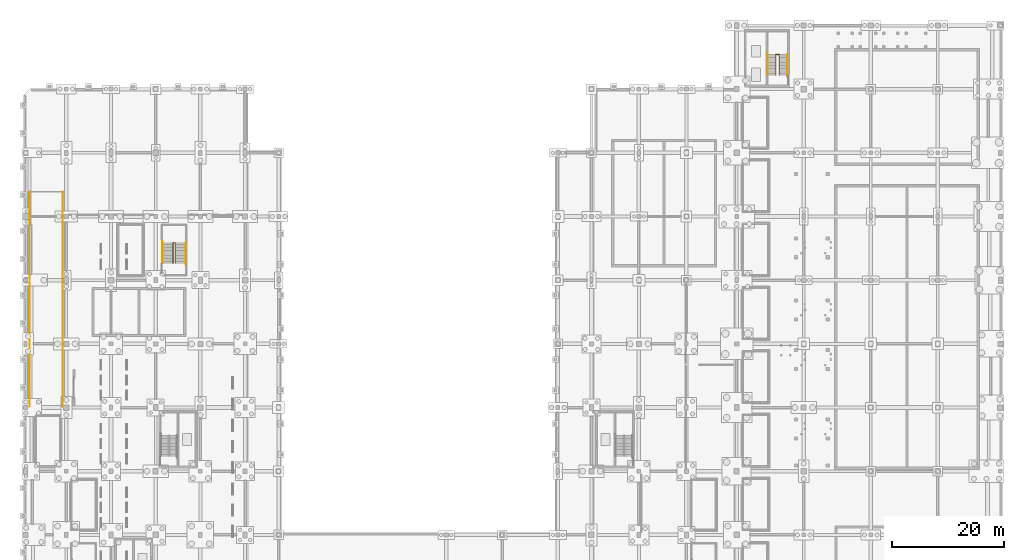
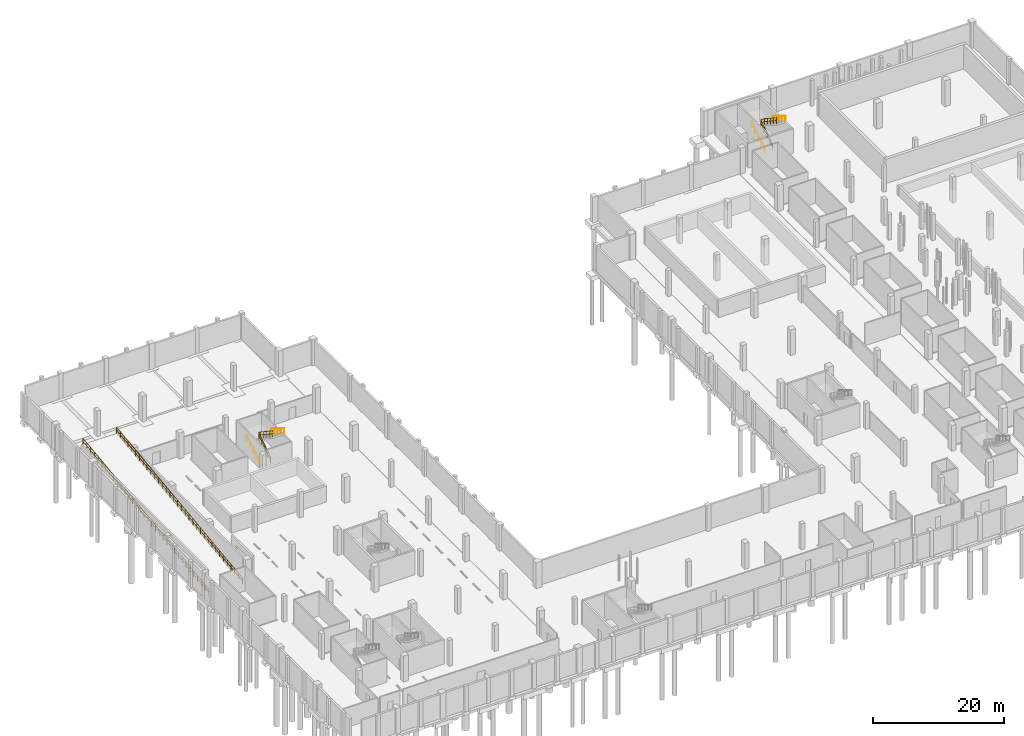
# One storey, part 33 of 34: 8 railings.
"""IFC4 building model written with IfcOpenShell, lengths in metres."""

from ifc_helpers import new_model, si_unit, direction, frame, origin, origin_2d, place, context, subcontext, project, spatial, circle, extrude, material, type_object, element, save


model = new_model("IFC4")

# Units and contexts
model_context = context("Model", 3, precision=1e-05, world=origin(), true_north=direction((0.0, 1.0)))
body_context = subcontext(model_context, "Body", "Model", "MODEL_VIEW")
ifc_project = project(units=[si_unit("LENGTHUNIT", "METRE"), si_unit("AREAUNIT", "SQUARE_METRE"), si_unit("VOLUMEUNIT", "CUBIC_METRE"), si_unit("PLANEANGLEUNIT", "RADIAN"), si_unit("MASSUNIT", "GRAM", prefix="KILO"), si_unit("POWERUNIT", "WATT"), si_unit("THERMODYNAMICTEMPERATUREUNIT", "KELVIN")], contexts=[model_context])

# Site, building, storey
site_placement = place(None, origin())
site = spatial("IfcSite", under=ifc_project, at=site_placement, CompositionType="ELEMENT")
building_placement = place(site_placement, origin())
building = spatial("IfcBuilding", under=site, at=building_placement, Name="Kelmbourne Parkland Aquatics Centre", CompositionType="ELEMENT")
storey_placement = place(building_placement, frame((0.0, 0.0, -4.800048828125)))
storey = spatial("IfcBuildingStorey", under=building, at=storey_placement, Name="B1", CompositionType="ELEMENT", Elevation=-4.800048828125)

# Railings
ifc_material = material(Name="Grade 316 marine stainless steel", Category="steel")
railing_type_1 = type_object("IfcRailingType", Name="RL-GD-112", PredefinedType="GUARDRAIL", material=ifc_material)
railing_1_placement = place(storey_placement, frame((134.9951171875, 105.949951171875, 0.0)))
element("IfcRailing", 1, at=railing_1_placement, inside=storey, type_object=railing_type_1, Name="North Diving Control Fire-Fighting Core Stair ST05 well guardrail", PredefinedType="GUARDRAIL", context=body_context, shape_type="SweptSolid", body=[
    extrude(circle(Radius=0.02392578125, at=origin_2d()), frame((0.0, 0.0, 1.09619140625), z_axis=(0.0, 0.834856447115, 0.55046772177), x_axis=(-1.0, 0.0, 0.0)), (0.0, 0.0, 1.0), 4.360107421875),
    extrude(circle(Radius=0.02392578125, at=origin_2d()), frame((0.0, 0.0, 0.56005859375), z_axis=(0.0, 0.834856447115, 0.55046772177), x_axis=(-1.0, 0.0, 0.0)), (0.0, 0.0, 1.0), 4.360107421875),
    extrude(circle(Radius=0.02392578125, at=origin_2d()), frame((0.0, 3.64013671875, 3.49609375), z_axis=(1.0, 0.0, 0.0), x_axis=(0.0, 1.0, 0.0)), (0.0, 0.0, 1.0), 0.634765625),
    extrude(circle(Radius=0.02392578125, at=origin_2d()), frame((0.0, 3.64013671875, 2.960205078125), z_axis=(1.0, 0.0, 0.0), x_axis=(0.0, 1.0, 0.0)), (0.0, 0.0, 1.0), 0.634765625),
    extrude(circle(Radius=0.02392578125, at=origin_2d()), frame((0.634765625, 3.64013671875, 3.49609375), z_axis=(0.0, -0.83488217925, 0.55042869363), x_axis=(1.0, 0.0, 0.0)), (0.0, 0.0, 1.0), 4.360107421875),
    extrude(circle(Radius=0.02392578125, at=origin_2d()), frame((0.634765625, 3.64013671875, 2.960205078125), z_axis=(0.0, -0.83488217925, 0.55042869363), x_axis=(1.0, 0.0, 0.0)), (0.0, 0.0, 1.0), 4.360107421875),
    extrude(circle(Radius=0.02099609375, at=origin_2d()), origin(), (0.0, 0.0, 1.0), 1.072021484375),
    extrude(circle(Radius=0.02099609375, at=origin_2d()), frame((0.0, 0.91015625, 0.60009765625)), (0.0, 0.0, 1.0), 1.072021484375),
    extrude(circle(Radius=0.02099609375, at=origin_2d()), frame((0.0, 1.820068359375, 1.2001953125)), (0.0, 0.0, 1.0), 1.072021484375),
    extrude(circle(Radius=0.02099609375, at=origin_2d()), frame((0.0, 2.72998046875, 1.800048828125)), (0.0, 0.0, 1.0), 1.072021484375),
    extrude(circle(Radius=0.02099609375, at=origin_2d()), frame((0.0, 3.64013671875, 2.400146484375)), (0.0, 0.0, 1.0), 1.072021484375),
    extrude(circle(Radius=0.02099609375, at=origin_2d()), frame((0.634765625, 3.64013671875, 2.400146484375)), (0.0, 0.0, 1.0), 1.072021484375),
    extrude(circle(Radius=0.02099609375, at=origin_2d()), frame((0.634765625, 2.72998046875, 3.0)), (0.0, 0.0, 1.0), 1.072021484375),
    extrude(circle(Radius=0.02099609375, at=origin_2d()), frame((0.634765625, 1.820068359375, 3.60009765625)), (0.0, 0.0, 1.0), 1.072021484375),
    extrude(circle(Radius=0.02099609375, at=origin_2d()), frame((0.634765625, 0.91015625, 4.2001953125)), (0.0, 0.0, 1.0), 1.072021484375),
    extrude(circle(Radius=0.02099609375, at=origin_2d()), frame((0.634765625, 0.0, 4.800048828125)), (0.0, 0.0, 1.0), 1.072021484375),
])
railing_2_placement = place(storey_placement, frame((27.1201171875, 72.25, 0.0)))
element("IfcRailing", 2, at=railing_2_placement, inside=storey, type_object=railing_type_1, Name="West North Prow Exit Stair well guardrail", PredefinedType="GUARDRAIL", context=body_context, shape_type="SweptSolid", body=[
    extrude(circle(Radius=0.02392578125, at=origin_2d()), frame((0.0, 0.0, 1.09619140625), z_axis=(0.0, 0.834839479206, 0.550493454965), x_axis=(-1.0, 0.0, 0.0)), (0.0, 0.0, 1.0), 4.360107421875),
    extrude(circle(Radius=0.02392578125, at=origin_2d()), frame((0.0, 0.0, 0.56005859375), z_axis=(0.0, 0.834839479206, 0.550493454965), x_axis=(-1.0, 0.0, 0.0)), (0.0, 0.0, 1.0), 4.360107421875),
    extrude(circle(Radius=0.02392578125, at=origin_2d()), frame((0.0, 3.639892578125, 3.49609375), z_axis=(1.0, 0.0, 0.0), x_axis=(0.0, 1.0, 0.0)), (0.0, 0.0, 1.0), 0.35986328125),
    extrude(circle(Radius=0.02392578125, at=origin_2d()), frame((0.0, 3.639892578125, 2.960205078125), z_axis=(1.0, 0.0, 0.0), x_axis=(0.0, 1.0, 0.0)), (0.0, 0.0, 1.0), 0.35986328125),
    extrude(circle(Radius=0.02392578125, at=origin_2d()), frame((0.35986328125, 3.639892578125, 3.49609375), z_axis=(0.0, -0.834865213223, 0.550454426587), x_axis=(1.0, 0.0, 0.0)), (0.0, 0.0, 1.0), 4.35986328125),
    extrude(circle(Radius=0.02392578125, at=origin_2d()), frame((0.35986328125, 3.639892578125, 2.960205078125), z_axis=(0.0, -0.834865213223, 0.550454426587), x_axis=(1.0, 0.0, 0.0)), (0.0, 0.0, 1.0), 4.35986328125),
    extrude(circle(Radius=0.02099609375, at=origin_2d()), origin(), (0.0, 0.0, 1.0), 1.072021484375),
    extrude(circle(Radius=0.02099609375, at=origin_2d()), frame((0.0, 0.909912109375, 0.60009765625)), (0.0, 0.0, 1.0), 1.072021484375),
    extrude(circle(Radius=0.02099609375, at=origin_2d()), frame((0.0, 1.81982421875, 1.2001953125)), (0.0, 0.0, 1.0), 1.072021484375),
    extrude(circle(Radius=0.02099609375, at=origin_2d()), frame((0.0, 2.72998046875, 1.800048828125)), (0.0, 0.0, 1.0), 1.072021484375),
    extrude(circle(Radius=0.02099609375, at=origin_2d()), frame((0.0, 3.639892578125, 2.400146484375)), (0.0, 0.0, 1.0), 1.072021484375),
    extrude(circle(Radius=0.02099609375, at=origin_2d()), frame((0.35986328125, 3.639892578125, 2.400146484375)), (0.0, 0.0, 1.0), 1.072021484375),
    extrude(circle(Radius=0.02099609375, at=origin_2d()), frame((0.35986328125, 2.72998046875, 3.0)), (0.0, 0.0, 1.0), 1.072021484375),
    extrude(circle(Radius=0.02099609375, at=origin_2d()), frame((0.35986328125, 1.81982421875, 3.60009765625)), (0.0, 0.0, 1.0), 1.072021484375),
    extrude(circle(Radius=0.02099609375, at=origin_2d()), frame((0.35986328125, 0.909912109375, 4.2001953125)), (0.0, 0.0, 1.0), 1.072021484375),
    extrude(circle(Radius=0.02099609375, at=origin_2d()), frame((0.35986328125, 0.0, 4.800048828125)), (0.0, 0.0, 1.0), 1.072021484375),
])
railing_3_placement = place(storey_placement, frame((1.43994140625, 46.60009765625, 0.0)))
element("IfcRailing", 3, at=railing_3_placement, inside=storey, type_object=railing_type_1, Name="Vehicle ramp flight west guardrail", PredefinedType="GUARDRAIL", context=body_context, shape_type="SweptSolid", body=[
    extrude(circle(Radius=0.02392578125, at=origin_2d()), frame((0.0, 0.0, 1.09619140625), z_axis=(0.0, 0.992277682597, 0.124036287512), x_axis=(-1.0, 0.0, 0.0)), (0.0, 0.0, 1.0), 38.69873046875),
    extrude(circle(Radius=0.02392578125, at=origin_2d()), frame((0.0, 0.0, 0.56005859375), z_axis=(0.0, 0.992277682597, 0.124036287512), x_axis=(-1.0, 0.0, 0.0)), (0.0, 0.0, 1.0), 38.69873046875),
    extrude(circle(Radius=0.02099609375, at=origin_2d()), origin(), (0.0, 0.0, 1.0), 1.072021484375),
    extrude(circle(Radius=0.02099609375, at=origin_2d()), frame((0.0, 1.16357421875, 0.1455078125)), (0.0, 0.0, 1.0), 1.072021484375),
    extrude(circle(Radius=0.02099609375, at=origin_2d()), frame((0.0, 2.3271484375, 0.291015625)), (0.0, 0.0, 1.0), 1.072021484375),
    extrude(circle(Radius=0.02099609375, at=origin_2d()), frame((0.0, 3.490966796875, 0.436279296875)), (0.0, 0.0, 1.0), 1.072021484375),
    extrude(circle(Radius=0.02099609375, at=origin_2d()), frame((0.0, 4.654541015625, 0.581787109375)), (0.0, 0.0, 1.0), 1.072021484375),
    extrude(circle(Radius=0.02099609375, at=origin_2d()), frame((0.0, 5.818115234375, 0.727294921875)), (0.0, 0.0, 1.0), 1.072021484375),
    extrude(circle(Radius=0.02099609375, at=origin_2d()), frame((0.0, 6.981689453125, 0.872802734375)), (0.0, 0.0, 1.0), 1.072021484375),
    extrude(circle(Radius=0.02099609375, at=origin_2d()), frame((0.0, 8.1455078125, 1.018310546875)), (0.0, 0.0, 1.0), 1.072021484375),
    extrude(circle(Radius=0.02099609375, at=origin_2d()), frame((0.0, 9.30908203125, 1.16357421875)), (0.0, 0.0, 1.0), 1.072021484375),
    extrude(circle(Radius=0.02099609375, at=origin_2d()), frame((0.0, 10.47265625, 1.30908203125)), (0.0, 0.0, 1.0), 1.072021484375),
    extrude(circle(Radius=0.02099609375, at=origin_2d()), frame((0.0, 11.63623046875, 1.45458984375)), (0.0, 0.0, 1.0), 1.072021484375),
    extrude(circle(Radius=0.02099609375, at=origin_2d()), frame((0.0, 12.800048828125, 1.60009765625)), (0.0, 0.0, 1.0), 1.072021484375),
    extrude(circle(Radius=0.02099609375, at=origin_2d()), frame((0.0, 13.963623046875, 1.745361328125)), (0.0, 0.0, 1.0), 1.072021484375),
    extrude(circle(Radius=0.02099609375, at=origin_2d()), frame((0.0, 15.127197265625, 1.890869140625)), (0.0, 0.0, 1.0), 1.072021484375),
    extrude(circle(Radius=0.02099609375, at=origin_2d()), frame((0.0, 16.290771484375, 2.036376953125)), (0.0, 0.0, 1.0), 1.072021484375),
    extrude(circle(Radius=0.02099609375, at=origin_2d()), frame((0.0, 17.45458984375, 2.181884765625)), (0.0, 0.0, 1.0), 1.072021484375),
    extrude(circle(Radius=0.02099609375, at=origin_2d()), frame((0.0, 18.6181640625, 2.327392578125)), (0.0, 0.0, 1.0), 1.072021484375),
    extrude(circle(Radius=0.02099609375, at=origin_2d()), frame((0.0, 19.78173828125, 2.47265625)), (0.0, 0.0, 1.0), 1.072021484375),
    extrude(circle(Radius=0.02099609375, at=origin_2d()), frame((0.0, 20.9453125, 2.6181640625)), (0.0, 0.0, 1.0), 1.072021484375),
    extrude(circle(Radius=0.02099609375, at=origin_2d()), frame((0.0, 22.109130859375, 2.763671875)), (0.0, 0.0, 1.0), 1.072021484375),
    extrude(circle(Radius=0.02099609375, at=origin_2d()), frame((0.0, 23.272705078125, 2.9091796875)), (0.0, 0.0, 1.0), 1.072021484375),
    extrude(circle(Radius=0.02099609375, at=origin_2d()), frame((0.0, 24.436279296875, 3.0546875)), (0.0, 0.0, 1.0), 1.072021484375),
    extrude(circle(Radius=0.02099609375, at=origin_2d()), frame((0.0, 25.599853515625, 3.199951171875)), (0.0, 0.0, 1.0), 1.072021484375),
    extrude(circle(Radius=0.02099609375, at=origin_2d()), frame((0.0, 26.763671875, 3.345458984375)), (0.0, 0.0, 1.0), 1.072021484375),
    extrude(circle(Radius=0.02099609375, at=origin_2d()), frame((0.0, 27.92724609375, 3.490966796875)), (0.0, 0.0, 1.0), 1.072021484375),
    extrude(circle(Radius=0.02099609375, at=origin_2d()), frame((0.0, 29.0908203125, 3.636474609375)), (0.0, 0.0, 1.0), 1.072021484375),
    extrude(circle(Radius=0.02099609375, at=origin_2d()), frame((0.0, 30.25439453125, 3.78173828125)), (0.0, 0.0, 1.0), 1.072021484375),
    extrude(circle(Radius=0.02099609375, at=origin_2d()), frame((0.0, 31.418212890625, 3.92724609375)), (0.0, 0.0, 1.0), 1.072021484375),
    extrude(circle(Radius=0.02099609375, at=origin_2d()), frame((0.0, 32.581787109375, 4.07275390625)), (0.0, 0.0, 1.0), 1.072021484375),
    extrude(circle(Radius=0.02099609375, at=origin_2d()), frame((0.0, 33.745361328125, 4.21826171875)), (0.0, 0.0, 1.0), 1.072021484375),
    extrude(circle(Radius=0.02099609375, at=origin_2d()), frame((0.0, 34.908935546875, 4.36376953125)), (0.0, 0.0, 1.0), 1.072021484375),
    extrude(circle(Radius=0.02099609375, at=origin_2d()), frame((0.0, 36.07275390625, 4.509033203125)), (0.0, 0.0, 1.0), 1.072021484375),
    extrude(circle(Radius=0.02099609375, at=origin_2d()), frame((0.0, 37.236328125, 4.654541015625)), (0.0, 0.0, 1.0), 1.072021484375),
    extrude(circle(Radius=0.02099609375, at=origin_2d()), frame((0.0, 38.39990234375, 4.800048828125)), (0.0, 0.0, 1.0), 1.072021484375),
])
railing_4_placement = place(storey_placement, frame((7.360107421875, 46.60009765625, 0.0)))
element("IfcRailing", 4, at=railing_4_placement, inside=storey, type_object=railing_type_1, Name="Vehicle ramp flight east guardrail", PredefinedType="GUARDRAIL", context=body_context, shape_type="SweptSolid", body=[
    extrude(circle(Radius=0.02392578125, at=origin_2d()), frame((0.0, 0.0, 1.09619140625), z_axis=(0.0, 0.992277682597, 0.124036287512), x_axis=(-1.0, 0.0, 0.0)), (0.0, 0.0, 1.0), 38.69873046875),
    extrude(circle(Radius=0.02392578125, at=origin_2d()), frame((0.0, 0.0, 0.56005859375), z_axis=(0.0, 0.992277682597, 0.124036287512), x_axis=(-1.0, 0.0, 0.0)), (0.0, 0.0, 1.0), 38.69873046875),
    extrude(circle(Radius=0.02099609375, at=origin_2d()), origin(), (0.0, 0.0, 1.0), 1.072021484375),
    extrude(circle(Radius=0.02099609375, at=origin_2d()), frame((0.0, 1.16357421875, 0.1455078125)), (0.0, 0.0, 1.0), 1.072021484375),
    extrude(circle(Radius=0.02099609375, at=origin_2d()), frame((0.0, 2.3271484375, 0.291015625)), (0.0, 0.0, 1.0), 1.072021484375),
    extrude(circle(Radius=0.02099609375, at=origin_2d()), frame((0.0, 3.490966796875, 0.436279296875)), (0.0, 0.0, 1.0), 1.072021484375),
    extrude(circle(Radius=0.02099609375, at=origin_2d()), frame((0.0, 4.654541015625, 0.581787109375)), (0.0, 0.0, 1.0), 1.072021484375),
    extrude(circle(Radius=0.02099609375, at=origin_2d()), frame((0.0, 5.818115234375, 0.727294921875)), (0.0, 0.0, 1.0), 1.072021484375),
    extrude(circle(Radius=0.02099609375, at=origin_2d()), frame((0.0, 6.981689453125, 0.872802734375)), (0.0, 0.0, 1.0), 1.072021484375),
    extrude(circle(Radius=0.02099609375, at=origin_2d()), frame((0.0, 8.1455078125, 1.018310546875)), (0.0, 0.0, 1.0), 1.072021484375),
    extrude(circle(Radius=0.02099609375, at=origin_2d()), frame((0.0, 9.30908203125, 1.16357421875)), (0.0, 0.0, 1.0), 1.072021484375),
    extrude(circle(Radius=0.02099609375, at=origin_2d()), frame((0.0, 10.47265625, 1.30908203125)), (0.0, 0.0, 1.0), 1.072021484375),
    extrude(circle(Radius=0.02099609375, at=origin_2d()), frame((0.0, 11.63623046875, 1.45458984375)), (0.0, 0.0, 1.0), 1.072021484375),
    extrude(circle(Radius=0.02099609375, at=origin_2d()), frame((0.0, 12.800048828125, 1.60009765625)), (0.0, 0.0, 1.0), 1.072021484375),
    extrude(circle(Radius=0.02099609375, at=origin_2d()), frame((0.0, 13.963623046875, 1.745361328125)), (0.0, 0.0, 1.0), 1.072021484375),
    extrude(circle(Radius=0.02099609375, at=origin_2d()), frame((0.0, 15.127197265625, 1.890869140625)), (0.0, 0.0, 1.0), 1.072021484375),
    extrude(circle(Radius=0.02099609375, at=origin_2d()), frame((0.0, 16.290771484375, 2.036376953125)), (0.0, 0.0, 1.0), 1.072021484375),
    extrude(circle(Radius=0.02099609375, at=origin_2d()), frame((0.0, 17.45458984375, 2.181884765625)), (0.0, 0.0, 1.0), 1.072021484375),
    extrude(circle(Radius=0.02099609375, at=origin_2d()), frame((0.0, 18.6181640625, 2.327392578125)), (0.0, 0.0, 1.0), 1.072021484375),
    extrude(circle(Radius=0.02099609375, at=origin_2d()), frame((0.0, 19.78173828125, 2.47265625)), (0.0, 0.0, 1.0), 1.072021484375),
    extrude(circle(Radius=0.02099609375, at=origin_2d()), frame((0.0, 20.9453125, 2.6181640625)), (0.0, 0.0, 1.0), 1.072021484375),
    extrude(circle(Radius=0.02099609375, at=origin_2d()), frame((0.0, 22.109130859375, 2.763671875)), (0.0, 0.0, 1.0), 1.072021484375),
    extrude(circle(Radius=0.02099609375, at=origin_2d()), frame((0.0, 23.272705078125, 2.9091796875)), (0.0, 0.0, 1.0), 1.072021484375),
    extrude(circle(Radius=0.02099609375, at=origin_2d()), frame((0.0, 24.436279296875, 3.0546875)), (0.0, 0.0, 1.0), 1.072021484375),
    extrude(circle(Radius=0.02099609375, at=origin_2d()), frame((0.0, 25.599853515625, 3.199951171875)), (0.0, 0.0, 1.0), 1.072021484375),
    extrude(circle(Radius=0.02099609375, at=origin_2d()), frame((0.0, 26.763671875, 3.345458984375)), (0.0, 0.0, 1.0), 1.072021484375),
    extrude(circle(Radius=0.02099609375, at=origin_2d()), frame((0.0, 27.92724609375, 3.490966796875)), (0.0, 0.0, 1.0), 1.072021484375),
    extrude(circle(Radius=0.02099609375, at=origin_2d()), frame((0.0, 29.0908203125, 3.636474609375)), (0.0, 0.0, 1.0), 1.072021484375),
    extrude(circle(Radius=0.02099609375, at=origin_2d()), frame((0.0, 30.25439453125, 3.78173828125)), (0.0, 0.0, 1.0), 1.072021484375),
    extrude(circle(Radius=0.02099609375, at=origin_2d()), frame((0.0, 31.418212890625, 3.92724609375)), (0.0, 0.0, 1.0), 1.072021484375),
    extrude(circle(Radius=0.02099609375, at=origin_2d()), frame((0.0, 32.581787109375, 4.07275390625)), (0.0, 0.0, 1.0), 1.072021484375),
    extrude(circle(Radius=0.02099609375, at=origin_2d()), frame((0.0, 33.745361328125, 4.21826171875)), (0.0, 0.0, 1.0), 1.072021484375),
    extrude(circle(Radius=0.02099609375, at=origin_2d()), frame((0.0, 34.908935546875, 4.36376953125)), (0.0, 0.0, 1.0), 1.072021484375),
    extrude(circle(Radius=0.02099609375, at=origin_2d()), frame((0.0, 36.07275390625, 4.509033203125)), (0.0, 0.0, 1.0), 1.072021484375),
    extrude(circle(Radius=0.02099609375, at=origin_2d()), frame((0.0, 37.236328125, 4.654541015625)), (0.0, 0.0, 1.0), 1.072021484375),
    extrude(circle(Radius=0.02099609375, at=origin_2d()), frame((0.0, 38.39990234375, 4.800048828125)), (0.0, 0.0, 1.0), 1.072021484375),
])
railing_type_2 = type_object("IfcRailingType", Name="RL-HR-92", PredefinedType="HANDRAIL", material=ifc_material)
railing_5_placement = place(storey_placement, frame((133.56494140625, 105.949951171875, 0.17138671875)))
element("IfcRailing", 5, at=railing_5_placement, inside=storey, type_object=railing_type_2, Name="North Diving Control Fire-Fighting Core Stair ST05 F1 handrail", PredefinedType="HANDRAIL", context=body_context, shape_type="SweptSolid", body=[
    extrude(circle(Radius=0.02392578125, at=origin_2d()), frame((0.0, 0.0, 0.89599609375), z_axis=(0.0, 0.852846959695, 0.522160955394), x_axis=(-1.0, 0.0, 0.0)), (0.0, 0.0, 1.0), 4.5966796875),
    extrude(circle(Radius=0.02099609375, at=origin_2d()), origin(), (0.0, 0.0, 1.0), 0.871826171875),
    extrude(circle(Radius=0.02099609375, at=origin_2d()), frame((0.0, 0.97998046875, 0.60009765625)), (0.0, 0.0, 1.0), 0.871826171875),
    extrude(circle(Radius=0.02099609375, at=origin_2d()), frame((0.0, 1.9599609375, 1.2001953125)), (0.0, 0.0, 1.0), 0.871826171875),
    extrude(circle(Radius=0.02099609375, at=origin_2d()), frame((0.0, 2.940185546875, 1.800048828125)), (0.0, 0.0, 1.0), 0.871826171875),
    extrude(circle(Radius=0.02099609375, at=origin_2d()), frame((0.0, 3.920166015625, 2.400146484375)), (0.0, 0.0, 1.0), 0.871826171875),
])
railing_6_placement = place(storey_placement, frame((137.06005859375, 109.590087890625, 2.571533203125)))
element("IfcRailing", 6, at=railing_6_placement, inside=storey, type_object=railing_type_2, Name="North Diving Control Fire-Fighting Core Stair ST05 F2 handrail", PredefinedType="HANDRAIL", context=body_context, shape_type="SweptSolid", body=[
    extrude(circle(Radius=0.02392578125, at=origin_2d()), frame((0.0, 0.0, 0.89599609375), z_axis=(0.0, -0.852870612257, 0.522122321634), x_axis=(1.0, 0.0, 0.0)), (0.0, 0.0, 1.0), 4.596435546875),
    extrude(circle(Radius=0.02099609375, at=origin_2d()), origin(), (0.0, 0.0, 1.0), 0.871826171875),
    extrude(circle(Radius=0.02099609375, at=origin_2d()), frame((0.0, -0.97998046875, 0.60009765625)), (0.0, 0.0, 1.0), 0.871826171875),
    extrude(circle(Radius=0.02099609375, at=origin_2d()), frame((0.0, -1.9599609375, 1.199951171875)), (0.0, 0.0, 1.0), 0.871826171875),
    extrude(circle(Radius=0.02099609375, at=origin_2d()), frame((0.0, -2.940185546875, 1.7998046875)), (0.0, 0.0, 1.0), 0.871826171875),
    extrude(circle(Radius=0.02099609375, at=origin_2d()), frame((0.0, -3.920166015625, 2.39990234375)), (0.0, 0.0, 1.0), 0.871826171875),
])
railing_7_placement = place(storey_placement, frame((25.239990234375, 72.25, 0.17138671875)))
element("IfcRailing", 7, at=railing_7_placement, inside=storey, type_object=railing_type_2, Name="West North Prow Exit Stair F1 handrail", PredefinedType="HANDRAIL", context=body_context, shape_type="SweptSolid", body=[
    extrude(circle(Radius=0.02392578125, at=origin_2d()), frame((0.0, 0.0, 0.89599609375), z_axis=(0.0, 0.852832477147, 0.522184609045), x_axis=(-1.0, 0.0, 0.0)), (0.0, 0.0, 1.0), 4.596435546875),
    extrude(circle(Radius=0.02099609375, at=origin_2d()), origin(), (0.0, 0.0, 1.0), 0.871826171875),
    extrude(circle(Radius=0.02099609375, at=origin_2d()), frame((0.0, 0.97998046875, 0.60009765625)), (0.0, 0.0, 1.0), 0.871826171875),
    extrude(circle(Radius=0.02099609375, at=origin_2d()), frame((0.0, 1.9599609375, 1.2001953125)), (0.0, 0.0, 1.0), 0.871826171875),
    extrude(circle(Radius=0.02099609375, at=origin_2d()), frame((0.0, 2.93994140625, 1.800048828125)), (0.0, 0.0, 1.0), 0.871826171875),
    extrude(circle(Radius=0.02099609375, at=origin_2d()), frame((0.0, 3.919921875, 2.400146484375)), (0.0, 0.0, 1.0), 0.871826171875),
])
railing_8_placement = place(storey_placement, frame((29.360107421875, 75.889892578125, 2.571533203125)))
element("IfcRailing", 8, at=railing_8_placement, inside=storey, type_object=railing_type_2, Name="West North Prow Exit Stair F2 handrail", PredefinedType="HANDRAIL", context=body_context, shape_type="SweptSolid", body=[
    extrude(circle(Radius=0.02392578125, at=origin_2d()), frame((0.0, 0.0, 0.89599609375), z_axis=(0.0, -0.852856131449, 0.522145974847), x_axis=(1.0, 0.0, 0.0)), (0.0, 0.0, 1.0), 4.59619140625),
    extrude(circle(Radius=0.02099609375, at=origin_2d()), origin(), (0.0, 0.0, 1.0), 0.871826171875),
    extrude(circle(Radius=0.02099609375, at=origin_2d()), frame((0.0, -0.97998046875, 0.60009765625)), (0.0, 0.0, 1.0), 0.871826171875),
    extrude(circle(Radius=0.02099609375, at=origin_2d()), frame((0.0, -1.9599609375, 1.199951171875)), (0.0, 0.0, 1.0), 0.871826171875),
    extrude(circle(Radius=0.02099609375, at=origin_2d()), frame((0.0, -2.93994140625, 1.7998046875)), (0.0, 0.0, 1.0), 0.871826171875),
    extrude(circle(Radius=0.02099609375, at=origin_2d()), frame((0.0, -3.919921875, 2.39990234375)), (0.0, 0.0, 1.0), 0.871826171875),
])

save(model, "model.ifc")
